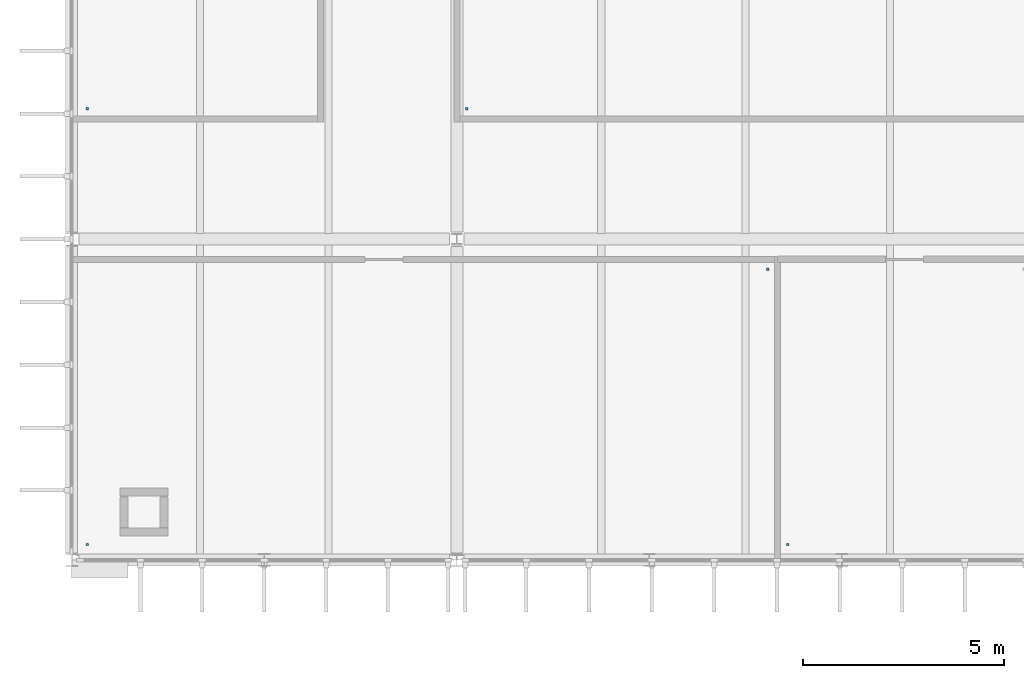
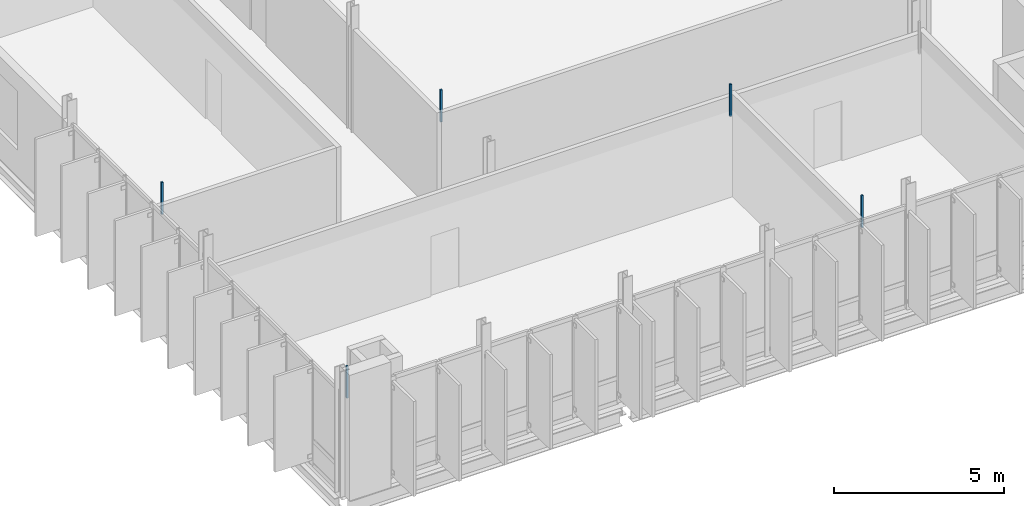
# One storey, part 57 of 93: 5 discrete accessories.
"""IFC4 building model written with IfcOpenShell, lengths in metres."""

from ifc_helpers import new_model, si_unit, direction, frame, origin, place, context, subcontext, project, spatial, polyline, outline, extrude, material, type_object, element, save


model = new_model("IFC4")

# Units and contexts
model_context = context("Model", 3, precision=1e-05, world=origin(), true_north=direction((0.0, 1.0)))
body_context = subcontext(model_context, "Body", "Model", "MODEL_VIEW")
ifc_project = project(units=[si_unit("LENGTHUNIT", "METRE"), si_unit("AREAUNIT", "SQUARE_METRE"), si_unit("VOLUMEUNIT", "CUBIC_METRE"), si_unit("PLANEANGLEUNIT", "RADIAN"), si_unit("MASSUNIT", "GRAM", prefix="KILO")], contexts=[model_context])

# Site, building, storey
site_placement = place(None, origin())
site = spatial("IfcSite", under=ifc_project, at=site_placement, CompositionType="ELEMENT")
building_placement = place(site_placement, origin())
building = spatial("IfcBuilding", under=site, at=building_placement, Name="Dunescarp Central Library", CompositionType="ELEMENT")
storey_placement = place(building_placement, frame((0.0, 0.0, 14.10009765625)))
storey = spatial("IfcBuildingStorey", under=building, at=storey_placement, Name="L03", CompositionType="ELEMENT", Elevation=14.10009765625)

# Discrete accessories
ifc_material = material(Name="Stainless steel Grade 316L", Category="steel")
discrete_accessory_type = type_object("IfcDiscreteAccessoryType", Name="ARC-ACC-BRK", PredefinedType="BRACKET", material=ifc_material)
discrete_accessory_1_placement = place(storey_placement, frame((0.0, 0.0, 3.059814453125)))
element("IfcDiscreteAccessory", 1, at=discrete_accessory_1_placement, inside=storey, type_object=discrete_accessory_type, Name="L03 ceiling hanger CLG-L03-024-H1", PredefinedType="BRACKET", context=body_context, shape_type="SweptSolid", body=[
    extrude(outline(polyline([(0.360107421875, 5.159912109375), (0.419921875, 5.159912109375), (0.419921875, 5.219970703125), (0.360107421875, 5.219970703125), (0.360107421875, 5.159912109375)])), origin(), (0.0, 0.0, 1.0), 1.150146484375),
])
discrete_accessory_2_placement = place(storey_placement, frame((0.0, 0.0, 3.059814453125)))
element("IfcDiscreteAccessory", 2, at=discrete_accessory_2_placement, inside=storey, type_object=discrete_accessory_type, Name="L03 ceiling hanger CLG-L03-024-H2", PredefinedType="BRACKET", context=body_context, shape_type="SweptSolid", body=[
    extrude(outline(polyline([(17.320068359375, 12.02001953125), (17.3798828125, 12.02001953125), (17.3798828125, 12.080078125), (17.320068359375, 12.080078125), (17.320068359375, 12.02001953125)])), origin(), (0.0, 0.0, 1.0), 1.150146484375),
])
discrete_accessory_3_placement = place(storey_placement, frame((0.0, 0.0, 3.059814453125)))
element("IfcDiscreteAccessory", 3, at=discrete_accessory_3_placement, inside=storey, type_object=discrete_accessory_type, Name="L03 ceiling hanger CLG-L03-025-H1", PredefinedType="BRACKET", context=body_context, shape_type="SweptSolid", body=[
    extrude(outline(polyline([(17.820068359375, 5.159912109375), (17.8798828125, 5.159912109375), (17.8798828125, 5.219970703125), (17.820068359375, 5.219970703125), (17.820068359375, 5.159912109375)])), origin(), (0.0, 0.0, 1.0), 1.150146484375),
])
discrete_accessory_4_placement = place(storey_placement, frame((0.0, 0.0, 3.059814453125)))
element("IfcDiscreteAccessory", 4, at=discrete_accessory_4_placement, inside=storey, type_object=discrete_accessory_type, Name="L03 ceiling hanger CLG-L03-026-H1", PredefinedType="BRACKET", context=body_context, shape_type="SweptSolid", body=[
    extrude(outline(polyline([(0.360107421875, 16.02001953125), (0.419921875, 16.02001953125), (0.419921875, 16.080078125), (0.360107421875, 16.080078125), (0.360107421875, 16.02001953125)])), origin(), (0.0, 0.0, 1.0), 1.150146484375),
])
discrete_accessory_5_placement = place(storey_placement, frame((0.0, 0.0, 3.059814453125)))
element("IfcDiscreteAccessory", 5, at=discrete_accessory_5_placement, inside=storey, type_object=discrete_accessory_type, Name="L03 ceiling hanger CLG-L03-027-H1", PredefinedType="BRACKET", context=body_context, shape_type="SweptSolid", body=[
    extrude(outline(polyline([(9.820068359375, 16.02001953125), (9.8798828125, 16.02001953125), (9.8798828125, 16.080078125), (9.820068359375, 16.080078125), (9.820068359375, 16.02001953125)])), origin(), (0.0, 0.0, 1.0), 1.150146484375),
])

save(model, "model.ifc")
